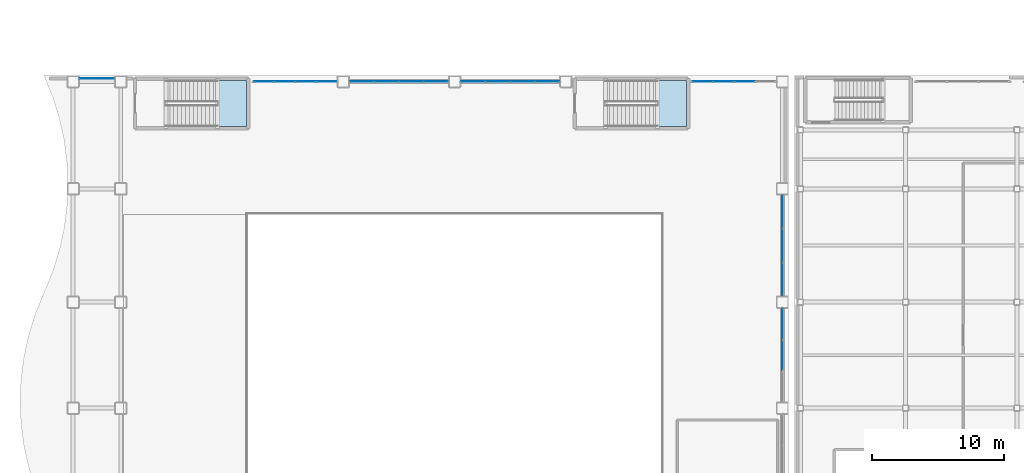
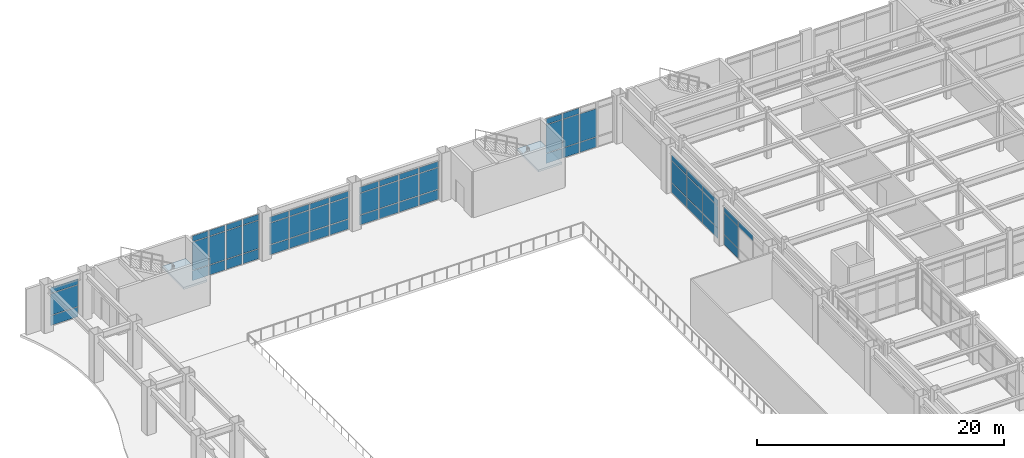
# One storey, part 131 of 172: 60 plates, 2 slabs, 9 elements without a shape of their own.
"""IFC4 building model written with IfcOpenShell, lengths in metres."""

from ifc_helpers import new_model, si_unit, direction, frame, origin, origin_2d, place, context, subcontext, project, spatial, polyline, rectangle, outline, extrude, material, layer, layer_set, type_object, element, aggregate, save


model = new_model("IFC4")

# Units and contexts
model_context = context("Model", 3, precision=1e-05, world=origin(), true_north=direction((0.0, 1.0)))
body_context = subcontext(model_context, "Body", "Model", "MODEL_VIEW")
ifc_project = project(units=[si_unit("LENGTHUNIT", "METRE"), si_unit("AREAUNIT", "SQUARE_METRE"), si_unit("VOLUMEUNIT", "CUBIC_METRE"), si_unit("PLANEANGLEUNIT", "RADIAN"), si_unit("MASSUNIT", "GRAM", prefix="KILO")], contexts=[model_context])

# Site, building, storey
site_placement = place(None, origin())
site = spatial("IfcSite", under=ifc_project, at=site_placement, CompositionType="ELEMENT")
building_placement = place(site_placement, origin())
building = spatial("IfcBuilding", under=site, at=building_placement, Name="Kazehara Bluff Congress Hotel", CompositionType="ELEMENT")
storey_placement = place(building_placement, frame((0.0, 0.0, 5.39990234375)))
storey = spatial("IfcBuildingStorey", under=building, at=storey_placement, Name="L01", CompositionType="ELEMENT", Elevation=5.39990234375)

# Curtain wall, plates
ifc_material_1 = material(Name="Anodised aluminium", Category="aluminium")
ifc_layer_1 = layer(ifc_material_1, 0.159912109375)
ifc_layer_set_1 = layer_set([ifc_layer_1], Name="Anodised aluminium")
curtain_wall_type_1 = type_object("IfcCurtainWallType", Name="TP-CW-08", PredefinedType="NOTDEFINED", material=ifc_layer_set_1)
curtain_wall_1_placement = place(storey_placement, origin())
curtain_wall_1 = element("IfcCurtainWall", 1, at=curtain_wall_1_placement, inside=storey, type_object=curtain_wall_type_1, Name="L01 curtain wall CW-08 CW-V1-L01-Y11355-2565", PredefinedType="NOTDEFINED")
ifc_material_2 = material(Name="Insulated low-E double glazing", Category="glass")
ifc_layer_2 = layer(ifc_material_2, 0.028076171875)
ifc_layer_set_2 = layer_set([ifc_layer_2], Name="Insulated low-E double glazing")
plate_type_1 = type_object("IfcPlateType", Name="TP-CWP-01", PredefinedType="CURTAIN_PANEL", material=ifc_layer_set_2)
plate_1_placement = place(storey_placement, frame((26.603759765625, 113.550048828125, 0.06494140625), z_axis=(0.0, 0.0, 1.0), x_axis=(1.0, 0.0, 0.0)))
plate_1 = element("IfcPlate", 2, at=plate_1_placement, type_object=plate_type_1, Name="CW-08 panel 1.1", PredefinedType="CURTAIN_PANEL", context=body_context, shape_type="SweptSolid", body=[
    extrude(rectangle(XDim=1.777587890625, YDim=0.028076171875, at=origin_2d()), origin(), (0.0, 0.0, 1.0), 0.952392578125),
])
plate_2_placement = place(storey_placement, frame((26.603759765625, 113.550048828125, 1.08251953125), z_axis=(0.0, 0.0, 1.0), x_axis=(1.0, 0.0, 0.0)))
plate_2 = element("IfcPlate", 3, at=plate_2_placement, type_object=plate_type_1, Name="CW-08 panel 1.2", PredefinedType="CURTAIN_PANEL", context=body_context, shape_type="SweptSolid", body=[
    extrude(rectangle(XDim=1.777587890625, YDim=0.028076171875, at=origin_2d()), origin(), (0.0, 0.0, 1.0), 2.110107421875),
])
plate_3_placement = place(storey_placement, frame((26.603759765625, 113.550048828125, 3.2578125), z_axis=(0.0, 0.0, 1.0), x_axis=(1.0, 0.0, 0.0)))
plate_3 = element("IfcPlate", 4, at=plate_3_placement, type_object=plate_type_1, Name="CW-08 panel 1.3", PredefinedType="CURTAIN_PANEL", context=body_context, shape_type="SweptSolid", body=[
    extrude(rectangle(XDim=1.777587890625, YDim=0.028076171875, at=origin_2d()), origin(), (0.0, 0.0, 1.0), 0.552490234375),
])
plate_4_placement = place(storey_placement, frame((28.46240234375, 113.550048828125, 0.06494140625), z_axis=(0.0, 0.0, 1.0), x_axis=(1.0, 0.0, 0.0)))
plate_4 = element("IfcPlate", 5, at=plate_4_placement, type_object=plate_type_1, Name="CW-08 panel 2.1", PredefinedType="CURTAIN_PANEL", context=body_context, shape_type="SweptSolid", body=[
    extrude(rectangle(XDim=1.81005859375, YDim=0.028076171875, at=origin_2d()), origin(), (0.0, 0.0, 1.0), 0.952392578125),
])
plate_5_placement = place(storey_placement, frame((28.46240234375, 113.550048828125, 1.08251953125), z_axis=(0.0, 0.0, 1.0), x_axis=(1.0, 0.0, 0.0)))
plate_5 = element("IfcPlate", 6, at=plate_5_placement, type_object=plate_type_1, Name="CW-08 panel 2.2", PredefinedType="CURTAIN_PANEL", context=body_context, shape_type="SweptSolid", body=[
    extrude(rectangle(XDim=1.81005859375, YDim=0.028076171875, at=origin_2d()), origin(), (0.0, 0.0, 1.0), 2.110107421875),
])
plate_6_placement = place(storey_placement, frame((28.46240234375, 113.550048828125, 3.2578125), z_axis=(0.0, 0.0, 1.0), x_axis=(1.0, 0.0, 0.0)))
plate_6 = element("IfcPlate", 7, at=plate_6_placement, type_object=plate_type_1, Name="CW-08 panel 2.3", PredefinedType="CURTAIN_PANEL", context=body_context, shape_type="SweptSolid", body=[
    extrude(rectangle(XDim=1.81005859375, YDim=0.028076171875, at=origin_2d()), origin(), (0.0, 0.0, 1.0), 0.552490234375),
])
plate_7_placement = place(storey_placement, frame((30.33740234375, 113.550048828125, 0.06494140625), z_axis=(0.0, 0.0, 1.0), x_axis=(1.0, 0.0, 0.0)))
plate_7 = element("IfcPlate", 8, at=plate_7_placement, type_object=plate_type_1, Name="CW-08 panel 3.1", PredefinedType="CURTAIN_PANEL", context=body_context, shape_type="SweptSolid", body=[
    extrude(rectangle(XDim=1.81005859375, YDim=0.028076171875, at=origin_2d()), origin(), (0.0, 0.0, 1.0), 0.952392578125),
])
plate_8_placement = place(storey_placement, frame((30.33740234375, 113.550048828125, 1.08251953125), z_axis=(0.0, 0.0, 1.0), x_axis=(1.0, 0.0, 0.0)))
plate_8 = element("IfcPlate", 9, at=plate_8_placement, type_object=plate_type_1, Name="CW-08 panel 3.2", PredefinedType="CURTAIN_PANEL", context=body_context, shape_type="SweptSolid", body=[
    extrude(rectangle(XDim=1.81005859375, YDim=0.028076171875, at=origin_2d()), origin(), (0.0, 0.0, 1.0), 2.110107421875),
])
plate_9_placement = place(storey_placement, frame((30.33740234375, 113.550048828125, 3.2578125), z_axis=(0.0, 0.0, 1.0), x_axis=(1.0, 0.0, 0.0)))
plate_9 = element("IfcPlate", 10, at=plate_9_placement, type_object=plate_type_1, Name="CW-08 panel 3.3", PredefinedType="CURTAIN_PANEL", context=body_context, shape_type="SweptSolid", body=[
    extrude(rectangle(XDim=1.81005859375, YDim=0.028076171875, at=origin_2d()), origin(), (0.0, 0.0, 1.0), 0.552490234375),
])
plate_10_placement = place(storey_placement, frame((32.1962890625, 113.550048828125, 0.06494140625), z_axis=(0.0, 0.0, 1.0), x_axis=(1.0, 0.0, 0.0)))
plate_10 = element("IfcPlate", 11, at=plate_10_placement, type_object=plate_type_1, Name="CW-08 panel 4.1", PredefinedType="CURTAIN_PANEL", context=body_context, shape_type="SweptSolid", body=[
    extrude(rectangle(XDim=1.777587890625, YDim=0.028076171875, at=origin_2d()), origin(), (0.0, 0.0, 1.0), 0.952392578125),
])
plate_11_placement = place(storey_placement, frame((32.1962890625, 113.550048828125, 1.08251953125), z_axis=(0.0, 0.0, 1.0), x_axis=(1.0, 0.0, 0.0)))
plate_11 = element("IfcPlate", 12, at=plate_11_placement, type_object=plate_type_1, Name="CW-08 panel 4.2", PredefinedType="CURTAIN_PANEL", context=body_context, shape_type="SweptSolid", body=[
    extrude(rectangle(XDim=1.777587890625, YDim=0.028076171875, at=origin_2d()), origin(), (0.0, 0.0, 1.0), 2.110107421875),
])
plate_12_placement = place(storey_placement, frame((32.1962890625, 113.550048828125, 3.2578125), z_axis=(0.0, 0.0, 1.0), x_axis=(1.0, 0.0, 0.0)))
plate_12 = element("IfcPlate", 13, at=plate_12_placement, type_object=plate_type_1, Name="CW-08 panel 4.3", PredefinedType="CURTAIN_PANEL", context=body_context, shape_type="SweptSolid", body=[
    extrude(rectangle(XDim=1.777587890625, YDim=0.028076171875, at=origin_2d()), origin(), (0.0, 0.0, 1.0), 0.552490234375),
])
aggregate(curtain_wall_1, [plate_1, plate_2, plate_3, plate_4, plate_5, plate_6, plate_7, plate_8, plate_9, plate_10, plate_11, plate_12])

curtain_wall_2_placement = place(storey_placement, origin())
curtain_wall_2 = element("IfcCurtainWall", 14, at=curtain_wall_2_placement, inside=storey, type_object=curtain_wall_type_1, Name="L01 curtain wall CW-08 CW-V1-L01-Y11355-3405", PredefinedType="NOTDEFINED")
plate_13_placement = place(storey_placement, frame((35.003662109375, 113.550048828125, 0.06494140625), z_axis=(0.0, 0.0, 1.0), x_axis=(1.0, 0.0, 0.0)))
plate_13 = element("IfcPlate", 15, at=plate_13_placement, type_object=plate_type_1, Name="CW-08 panel 1.1", PredefinedType="CURTAIN_PANEL", context=body_context, shape_type="SweptSolid", body=[
    extrude(rectangle(XDim=1.777587890625, YDim=0.028076171875, at=origin_2d()), origin(), (0.0, 0.0, 1.0), 0.952392578125),
])
plate_14_placement = place(storey_placement, frame((35.003662109375, 113.550048828125, 1.08251953125), z_axis=(0.0, 0.0, 1.0), x_axis=(1.0, 0.0, 0.0)))
plate_14 = element("IfcPlate", 16, at=plate_14_placement, type_object=plate_type_1, Name="CW-08 panel 1.2", PredefinedType="CURTAIN_PANEL", context=body_context, shape_type="SweptSolid", body=[
    extrude(rectangle(XDim=1.777587890625, YDim=0.028076171875, at=origin_2d()), origin(), (0.0, 0.0, 1.0), 2.110107421875),
])
plate_15_placement = place(storey_placement, frame((35.003662109375, 113.550048828125, 3.2578125), z_axis=(0.0, 0.0, 1.0), x_axis=(1.0, 0.0, 0.0)))
plate_15 = element("IfcPlate", 17, at=plate_15_placement, type_object=plate_type_1, Name="CW-08 panel 1.3", PredefinedType="CURTAIN_PANEL", context=body_context, shape_type="SweptSolid", body=[
    extrude(rectangle(XDim=1.777587890625, YDim=0.028076171875, at=origin_2d()), origin(), (0.0, 0.0, 1.0), 0.552490234375),
])
plate_16_placement = place(storey_placement, frame((36.862548828125, 113.550048828125, 0.06494140625), z_axis=(0.0, 0.0, 1.0), x_axis=(1.0, 0.0, 0.0)))
plate_16 = element("IfcPlate", 18, at=plate_16_placement, type_object=plate_type_1, Name="CW-08 panel 2.1", PredefinedType="CURTAIN_PANEL", context=body_context, shape_type="SweptSolid", body=[
    extrude(rectangle(XDim=1.81005859375, YDim=0.028076171875, at=origin_2d()), origin(), (0.0, 0.0, 1.0), 0.952392578125),
])
plate_17_placement = place(storey_placement, frame((36.862548828125, 113.550048828125, 1.08251953125), z_axis=(0.0, 0.0, 1.0), x_axis=(1.0, 0.0, 0.0)))
plate_17 = element("IfcPlate", 19, at=plate_17_placement, type_object=plate_type_1, Name="CW-08 panel 2.2", PredefinedType="CURTAIN_PANEL", context=body_context, shape_type="SweptSolid", body=[
    extrude(rectangle(XDim=1.81005859375, YDim=0.028076171875, at=origin_2d()), origin(), (0.0, 0.0, 1.0), 2.110107421875),
])
plate_18_placement = place(storey_placement, frame((36.862548828125, 113.550048828125, 3.2578125), z_axis=(0.0, 0.0, 1.0), x_axis=(1.0, 0.0, 0.0)))
plate_18 = element("IfcPlate", 20, at=plate_18_placement, type_object=plate_type_1, Name="CW-08 panel 2.3", PredefinedType="CURTAIN_PANEL", context=body_context, shape_type="SweptSolid", body=[
    extrude(rectangle(XDim=1.81005859375, YDim=0.028076171875, at=origin_2d()), origin(), (0.0, 0.0, 1.0), 0.552490234375),
])
plate_19_placement = place(storey_placement, frame((38.737548828125, 113.550048828125, 0.06494140625), z_axis=(0.0, 0.0, 1.0), x_axis=(1.0, 0.0, 0.0)))
plate_19 = element("IfcPlate", 21, at=plate_19_placement, type_object=plate_type_1, Name="CW-08 panel 3.1", PredefinedType="CURTAIN_PANEL", context=body_context, shape_type="SweptSolid", body=[
    extrude(rectangle(XDim=1.81005859375, YDim=0.028076171875, at=origin_2d()), origin(), (0.0, 0.0, 1.0), 0.952392578125),
])
plate_20_placement = place(storey_placement, frame((38.737548828125, 113.550048828125, 1.08251953125), z_axis=(0.0, 0.0, 1.0), x_axis=(1.0, 0.0, 0.0)))
plate_20 = element("IfcPlate", 22, at=plate_20_placement, type_object=plate_type_1, Name="CW-08 panel 3.2", PredefinedType="CURTAIN_PANEL", context=body_context, shape_type="SweptSolid", body=[
    extrude(rectangle(XDim=1.81005859375, YDim=0.028076171875, at=origin_2d()), origin(), (0.0, 0.0, 1.0), 2.110107421875),
])
plate_21_placement = place(storey_placement, frame((38.737548828125, 113.550048828125, 3.2578125), z_axis=(0.0, 0.0, 1.0), x_axis=(1.0, 0.0, 0.0)))
plate_21 = element("IfcPlate", 23, at=plate_21_placement, type_object=plate_type_1, Name="CW-08 panel 3.3", PredefinedType="CURTAIN_PANEL", context=body_context, shape_type="SweptSolid", body=[
    extrude(rectangle(XDim=1.81005859375, YDim=0.028076171875, at=origin_2d()), origin(), (0.0, 0.0, 1.0), 0.552490234375),
])
plate_22_placement = place(storey_placement, frame((40.59619140625, 113.550048828125, 0.06494140625), z_axis=(0.0, 0.0, 1.0), x_axis=(1.0, 0.0, 0.0)))
plate_22 = element("IfcPlate", 24, at=plate_22_placement, type_object=plate_type_1, Name="CW-08 panel 4.1", PredefinedType="CURTAIN_PANEL", context=body_context, shape_type="SweptSolid", body=[
    extrude(rectangle(XDim=1.777587890625, YDim=0.028076171875, at=origin_2d()), origin(), (0.0, 0.0, 1.0), 0.952392578125),
])
plate_23_placement = place(storey_placement, frame((40.59619140625, 113.550048828125, 1.08251953125), z_axis=(0.0, 0.0, 1.0), x_axis=(1.0, 0.0, 0.0)))
plate_23 = element("IfcPlate", 25, at=plate_23_placement, type_object=plate_type_1, Name="CW-08 panel 4.2", PredefinedType="CURTAIN_PANEL", context=body_context, shape_type="SweptSolid", body=[
    extrude(rectangle(XDim=1.777587890625, YDim=0.028076171875, at=origin_2d()), origin(), (0.0, 0.0, 1.0), 2.110107421875),
])
plate_24_placement = place(storey_placement, frame((40.59619140625, 113.550048828125, 3.2578125), z_axis=(0.0, 0.0, 1.0), x_axis=(1.0, 0.0, 0.0)))
plate_24 = element("IfcPlate", 26, at=plate_24_placement, type_object=plate_type_1, Name="CW-08 panel 4.3", PredefinedType="CURTAIN_PANEL", context=body_context, shape_type="SweptSolid", body=[
    extrude(rectangle(XDim=1.777587890625, YDim=0.028076171875, at=origin_2d()), origin(), (0.0, 0.0, 1.0), 0.552490234375),
])
aggregate(curtain_wall_2, [plate_13, plate_14, plate_15, plate_16, plate_17, plate_18, plate_19, plate_20, plate_21, plate_22, plate_23, plate_24])

ifc_material_3 = material(Name="Anodised aluminium", Category="aluminium")
ifc_layer_3 = layer(ifc_material_3, 0.159912109375)
ifc_layer_set_3 = layer_set([ifc_layer_3], Name="Anodised aluminium")
curtain_wall_type_2 = type_object("IfcCurtainWallType", Name="TP-CW-20", PredefinedType="NOTDEFINED", material=ifc_layer_set_3)
curtain_wall_3_placement = place(storey_placement, origin())
curtain_wall_3 = element("IfcCurtainWall", 27, at=curtain_wall_3_placement, inside=storey, type_object=curtain_wall_type_2, Name="L01 curtain wall CW-20 CW-V1-L01-X5835-8935", PredefinedType="NOTDEFINED")
plate_25_placement = place(storey_placement, frame((58.35009765625, 92.89990234375, 3.2578125), z_axis=(0.0, 0.0, 1.0), x_axis=(0.0, 1.0, 0.0)))
plate_25 = element("IfcPlate", 28, at=plate_25_placement, type_object=plate_type_1, Name="CW-20 panel 2.3", PredefinedType="CURTAIN_PANEL", context=body_context, shape_type="SweptSolid", body=[
    extrude(rectangle(XDim=2.3017578125, YDim=0.028076171875, at=origin_2d()), origin(), (0.0, 0.0, 1.0), 0.552490234375),
])
plate_26_placement = place(storey_placement, frame((58.35009765625, 95.25048828125, 0.06494140625), z_axis=(0.0, 0.0, 1.0), x_axis=(0.0, 1.0, 0.0)))
plate_26 = element("IfcPlate", 29, at=plate_26_placement, type_object=plate_type_1, Name="CW-20 panel 3.1", PredefinedType="CURTAIN_PANEL", context=body_context, shape_type="SweptSolid", body=[
    extrude(rectangle(XDim=2.269287109375, YDim=0.028076171875, at=origin_2d()), origin(), (0.0, 0.0, 1.0), 0.952392578125),
])
plate_27_placement = place(storey_placement, frame((58.35009765625, 95.25048828125, 1.08251953125), z_axis=(0.0, 0.0, 1.0), x_axis=(0.0, 1.0, 0.0)))
plate_27 = element("IfcPlate", 30, at=plate_27_placement, type_object=plate_type_1, Name="CW-20 panel 3.2", PredefinedType="CURTAIN_PANEL", context=body_context, shape_type="SweptSolid", body=[
    extrude(rectangle(XDim=2.269287109375, YDim=0.028076171875, at=origin_2d()), origin(), (0.0, 0.0, 1.0), 2.110107421875),
])
plate_28_placement = place(storey_placement, frame((58.35009765625, 95.25048828125, 3.2578125), z_axis=(0.0, 0.0, 1.0), x_axis=(0.0, 1.0, 0.0)))
plate_28 = element("IfcPlate", 31, at=plate_28_placement, type_object=plate_type_1, Name="CW-20 panel 3.3", PredefinedType="CURTAIN_PANEL", context=body_context, shape_type="SweptSolid", body=[
    extrude(rectangle(XDim=2.269287109375, YDim=0.028076171875, at=origin_2d()), origin(), (0.0, 0.0, 1.0), 0.552490234375),
])
aggregate(curtain_wall_3, [plate_25, plate_26, plate_27, plate_28])

ifc_material_4 = material(Name="Anodised aluminium", Category="aluminium")
ifc_layer_4 = layer(ifc_material_4, 0.159912109375)
ifc_layer_set_4 = layer_set([ifc_layer_4], Name="Anodised aluminium")
curtain_wall_type_3 = type_object("IfcCurtainWallType", Name="TP-CW-22", PredefinedType="NOTDEFINED", material=ifc_layer_set_4)
curtain_wall_4_placement = place(storey_placement, origin())
curtain_wall_4 = element("IfcCurtainWall", 32, at=curtain_wall_4_placement, inside=storey, type_object=curtain_wall_type_3, Name="L01 curtain wall CW-22 CW-V1-L01-X5835-9735", PredefinedType="NOTDEFINED")
plate_29_placement = place(storey_placement, frame((58.35009765625, 98.641357421875, 0.06494140625), z_axis=(0.0, 0.0, 1.0), x_axis=(0.0, 1.0, 0.0)))
plate_29 = element("IfcPlate", 33, at=plate_29_placement, type_object=plate_type_1, Name="CW-22 panel 1.1", PredefinedType="CURTAIN_PANEL", context=body_context, shape_type="SweptSolid", body=[
    extrude(rectangle(XDim=2.452392578125, YDim=0.028076171875, at=origin_2d()), origin(), (0.0, 0.0, 1.0), 0.952392578125),
])
plate_30_placement = place(storey_placement, frame((58.35009765625, 98.641357421875, 1.08251953125), z_axis=(0.0, 0.0, 1.0), x_axis=(0.0, 1.0, 0.0)))
plate_30 = element("IfcPlate", 34, at=plate_30_placement, type_object=plate_type_1, Name="CW-22 panel 1.2", PredefinedType="CURTAIN_PANEL", context=body_context, shape_type="SweptSolid", body=[
    extrude(rectangle(XDim=2.452392578125, YDim=0.028076171875, at=origin_2d()), origin(), (0.0, 0.0, 1.0), 2.110107421875),
])
plate_31_placement = place(storey_placement, frame((58.35009765625, 98.641357421875, 3.2578125), z_axis=(0.0, 0.0, 1.0), x_axis=(0.0, 1.0, 0.0)))
plate_31 = element("IfcPlate", 35, at=plate_31_placement, type_object=plate_type_1, Name="CW-22 panel 1.3", PredefinedType="CURTAIN_PANEL", context=body_context, shape_type="SweptSolid", body=[
    extrude(rectangle(XDim=2.452392578125, YDim=0.028076171875, at=origin_2d()), origin(), (0.0, 0.0, 1.0), 0.552490234375),
])
plate_32_placement = place(storey_placement, frame((58.35009765625, 101.175048828125, 0.06494140625), z_axis=(0.0, 0.0, 1.0), x_axis=(0.0, 1.0, 0.0)))
plate_32 = element("IfcPlate", 36, at=plate_32_placement, type_object=plate_type_1, Name="CW-22 panel 2.1", PredefinedType="CURTAIN_PANEL", context=body_context, shape_type="SweptSolid", body=[
    extrude(rectangle(XDim=2.485107421875, YDim=0.028076171875, at=origin_2d()), origin(), (0.0, 0.0, 1.0), 0.952392578125),
])
plate_33_placement = place(storey_placement, frame((58.35009765625, 101.175048828125, 1.08251953125), z_axis=(0.0, 0.0, 1.0), x_axis=(0.0, 1.0, 0.0)))
plate_33 = element("IfcPlate", 37, at=plate_33_placement, type_object=plate_type_1, Name="CW-22 panel 2.2", PredefinedType="CURTAIN_PANEL", context=body_context, shape_type="SweptSolid", body=[
    extrude(rectangle(XDim=2.485107421875, YDim=0.028076171875, at=origin_2d()), origin(), (0.0, 0.0, 1.0), 2.110107421875),
])
plate_34_placement = place(storey_placement, frame((58.35009765625, 101.175048828125, 3.2578125), z_axis=(0.0, 0.0, 1.0), x_axis=(0.0, 1.0, 0.0)))
plate_34 = element("IfcPlate", 38, at=plate_34_placement, type_object=plate_type_1, Name="CW-22 panel 2.3", PredefinedType="CURTAIN_PANEL", context=body_context, shape_type="SweptSolid", body=[
    extrude(rectangle(XDim=2.485107421875, YDim=0.028076171875, at=origin_2d()), origin(), (0.0, 0.0, 1.0), 0.552490234375),
])
plate_35_placement = place(storey_placement, frame((58.35009765625, 103.708740234375, 0.06494140625), z_axis=(0.0, 0.0, 1.0), x_axis=(0.0, 1.0, 0.0)))
plate_35 = element("IfcPlate", 39, at=plate_35_placement, type_object=plate_type_1, Name="CW-22 panel 3.1", PredefinedType="CURTAIN_PANEL", context=body_context, shape_type="SweptSolid", body=[
    extrude(rectangle(XDim=2.452392578125, YDim=0.028076171875, at=origin_2d()), origin(), (0.0, 0.0, 1.0), 0.952392578125),
])
plate_36_placement = place(storey_placement, frame((58.35009765625, 103.708740234375, 1.08251953125), z_axis=(0.0, 0.0, 1.0), x_axis=(0.0, 1.0, 0.0)))
plate_36 = element("IfcPlate", 40, at=plate_36_placement, type_object=plate_type_1, Name="CW-22 panel 3.2", PredefinedType="CURTAIN_PANEL", context=body_context, shape_type="SweptSolid", body=[
    extrude(rectangle(XDim=2.452392578125, YDim=0.028076171875, at=origin_2d()), origin(), (0.0, 0.0, 1.0), 2.110107421875),
])
plate_37_placement = place(storey_placement, frame((58.35009765625, 103.708740234375, 3.2578125), z_axis=(0.0, 0.0, 1.0), x_axis=(0.0, 1.0, 0.0)))
plate_37 = element("IfcPlate", 41, at=plate_37_placement, type_object=plate_type_1, Name="CW-22 panel 3.3", PredefinedType="CURTAIN_PANEL", context=body_context, shape_type="SweptSolid", body=[
    extrude(rectangle(XDim=2.452392578125, YDim=0.028076171875, at=origin_2d()), origin(), (0.0, 0.0, 1.0), 0.552490234375),
])
aggregate(curtain_wall_4, [plate_29, plate_30, plate_31, plate_32, plate_33, plate_34, plate_35, plate_36, plate_37])

ifc_material_5 = material(Name="Anodised aluminium", Category="aluminium")
ifc_layer_5 = layer(ifc_material_5, 0.159912109375)
ifc_layer_set_5 = layer_set([ifc_layer_5], Name="Anodised aluminium")
curtain_wall_type_4 = type_object("IfcCurtainWallType", Name="TP-CW-07", PredefinedType="NOTDEFINED", material=ifc_layer_set_5)
curtain_wall_5_placement = place(storey_placement, origin())
curtain_wall_5 = element("IfcCurtainWall", 42, at=curtain_wall_5_placement, inside=storey, type_object=curtain_wall_type_4, Name="L01 curtain wall CW-07 CW-V1-L01-Y11355-1840", PredefinedType="NOTDEFINED")
ifc_material_6 = material(Name="Insulated low-E double glazing", Category="glass")
ifc_layer_6 = layer(ifc_material_6, 0.031982421875)
ifc_layer_set_6 = layer_set([ifc_layer_6], Name="Insulated low-E double glazing")
plate_type_2 = type_object("IfcPlateType", Name="TP-CWP-02", PredefinedType="CURTAIN_PANEL", material=ifc_layer_set_6)
plate_38_placement = place(storey_placement, frame((19.211181640625, 113.550048828125, 0.06005859375), z_axis=(0.0, 0.0, 1.0), x_axis=(1.0, 0.0, 0.0)))
plate_38 = element("IfcPlate", 43, at=plate_38_placement, type_object=plate_type_2, Name="CW-07 panel 1.1", PredefinedType="CURTAIN_PANEL", context=body_context, shape_type="SweptSolid", body=[
    extrude(rectangle(XDim=1.482421875, YDim=0.031982421875, at=origin_2d()), origin(), (0.0, 0.0, 1.0), 0.9599609375),
])
plate_39_placement = place(storey_placement, frame((19.211181640625, 113.550048828125, 1.080078125), z_axis=(0.0, 0.0, 1.0), x_axis=(1.0, 0.0, 0.0)))
plate_39 = element("IfcPlate", 44, at=plate_39_placement, type_object=plate_type_2, Name="CW-07 panel 1.2", PredefinedType="CURTAIN_PANEL", context=body_context, shape_type="SweptSolid", body=[
    extrude(rectangle(XDim=1.482421875, YDim=0.031982421875, at=origin_2d()), origin(), (0.0, 0.0, 1.0), 2.77490234375),
])
plate_40_placement = place(storey_placement, frame((19.211181640625, 113.550048828125, 3.9150390625), z_axis=(0.0, 0.0, 1.0), x_axis=(1.0, 0.0, 0.0)))
plate_40 = element("IfcPlate", 45, at=plate_40_placement, type_object=plate_type_2, Name="CW-07 panel 1.3", PredefinedType="CURTAIN_PANEL", context=body_context, shape_type="SweptSolid", body=[
    extrude(rectangle(XDim=1.482421875, YDim=0.031982421875, at=origin_2d()), origin(), (0.0, 0.0, 1.0), 0.56005859375),
])
plate_41_placement = place(storey_placement, frame((20.78125, 113.550048828125, 0.06005859375), z_axis=(0.0, 0.0, 1.0), x_axis=(1.0, 0.0, 0.0)))
plate_41 = element("IfcPlate", 46, at=plate_41_placement, type_object=plate_type_2, Name="CW-07 panel 2.1", PredefinedType="CURTAIN_PANEL", context=body_context, shape_type="SweptSolid", body=[
    extrude(rectangle(XDim=1.517578125, YDim=0.031982421875, at=origin_2d()), origin(), (0.0, 0.0, 1.0), 0.9599609375),
])
plate_42_placement = place(storey_placement, frame((20.78125, 113.550048828125, 1.080078125), z_axis=(0.0, 0.0, 1.0), x_axis=(1.0, 0.0, 0.0)))
plate_42 = element("IfcPlate", 47, at=plate_42_placement, type_object=plate_type_2, Name="CW-07 panel 2.2", PredefinedType="CURTAIN_PANEL", context=body_context, shape_type="SweptSolid", body=[
    extrude(rectangle(XDim=1.517578125, YDim=0.031982421875, at=origin_2d()), origin(), (0.0, 0.0, 1.0), 2.77490234375),
])
plate_43_placement = place(storey_placement, frame((20.78125, 113.550048828125, 3.9150390625), z_axis=(0.0, 0.0, 1.0), x_axis=(1.0, 0.0, 0.0)))
plate_43 = element("IfcPlate", 48, at=plate_43_placement, type_object=plate_type_2, Name="CW-07 panel 2.3", PredefinedType="CURTAIN_PANEL", context=body_context, shape_type="SweptSolid", body=[
    extrude(rectangle(XDim=1.517578125, YDim=0.031982421875, at=origin_2d()), origin(), (0.0, 0.0, 1.0), 0.56005859375),
])
plate_44_placement = place(storey_placement, frame((22.36865234375, 113.550048828125, 0.06005859375), z_axis=(0.0, 0.0, 1.0), x_axis=(1.0, 0.0, 0.0)))
plate_44 = element("IfcPlate", 49, at=plate_44_placement, type_object=plate_type_2, Name="CW-07 panel 3.1", PredefinedType="CURTAIN_PANEL", context=body_context, shape_type="SweptSolid", body=[
    extrude(rectangle(XDim=1.517578125, YDim=0.031982421875, at=origin_2d()), origin(), (0.0, 0.0, 1.0), 0.9599609375),
])
plate_45_placement = place(storey_placement, frame((22.36865234375, 113.550048828125, 1.080078125), z_axis=(0.0, 0.0, 1.0), x_axis=(1.0, 0.0, 0.0)))
plate_45 = element("IfcPlate", 50, at=plate_45_placement, type_object=plate_type_2, Name="CW-07 panel 3.2", PredefinedType="CURTAIN_PANEL", context=body_context, shape_type="SweptSolid", body=[
    extrude(rectangle(XDim=1.517578125, YDim=0.031982421875, at=origin_2d()), origin(), (0.0, 0.0, 1.0), 2.77490234375),
])
plate_46_placement = place(storey_placement, frame((22.36865234375, 113.550048828125, 3.9150390625), z_axis=(0.0, 0.0, 1.0), x_axis=(1.0, 0.0, 0.0)))
plate_46 = element("IfcPlate", 51, at=plate_46_placement, type_object=plate_type_2, Name="CW-07 panel 3.3", PredefinedType="CURTAIN_PANEL", context=body_context, shape_type="SweptSolid", body=[
    extrude(rectangle(XDim=1.517578125, YDim=0.031982421875, at=origin_2d()), origin(), (0.0, 0.0, 1.0), 0.56005859375),
])
plate_47_placement = place(storey_placement, frame((23.938720703125, 113.550048828125, 0.06005859375), z_axis=(0.0, 0.0, 1.0), x_axis=(1.0, 0.0, 0.0)))
plate_47 = element("IfcPlate", 52, at=plate_47_placement, type_object=plate_type_2, Name="CW-07 panel 4.1", PredefinedType="CURTAIN_PANEL", context=body_context, shape_type="SweptSolid", body=[
    extrude(rectangle(XDim=1.482421875, YDim=0.031982421875, at=origin_2d()), origin(), (0.0, 0.0, 1.0), 0.9599609375),
])
plate_48_placement = place(storey_placement, frame((23.938720703125, 113.550048828125, 1.080078125), z_axis=(0.0, 0.0, 1.0), x_axis=(1.0, 0.0, 0.0)))
plate_48 = element("IfcPlate", 53, at=plate_48_placement, type_object=plate_type_2, Name="CW-07 panel 4.2", PredefinedType="CURTAIN_PANEL", context=body_context, shape_type="SweptSolid", body=[
    extrude(rectangle(XDim=1.482421875, YDim=0.031982421875, at=origin_2d()), origin(), (0.0, 0.0, 1.0), 2.77490234375),
])
plate_49_placement = place(storey_placement, frame((23.938720703125, 113.550048828125, 3.9150390625), z_axis=(0.0, 0.0, 1.0), x_axis=(1.0, 0.0, 0.0)))
plate_49 = element("IfcPlate", 54, at=plate_49_placement, type_object=plate_type_2, Name="CW-07 panel 4.3", PredefinedType="CURTAIN_PANEL", context=body_context, shape_type="SweptSolid", body=[
    extrude(rectangle(XDim=1.482421875, YDim=0.031982421875, at=origin_2d()), origin(), (0.0, 0.0, 1.0), 0.56005859375),
])
aggregate(curtain_wall_5, [plate_38, plate_39, plate_40, plate_41, plate_42, plate_43, plate_44, plate_45, plate_46, plate_47, plate_48, plate_49])

ifc_material_7 = material(Name="Anodised aluminium", Category="aluminium")
ifc_layer_7 = layer(ifc_material_7, 0.159912109375)
ifc_layer_set_7 = layer_set([ifc_layer_7], Name="Anodised aluminium")
curtain_wall_type_5 = type_object("IfcCurtainWallType", Name="TP-CW-09", PredefinedType="NOTDEFINED", material=ifc_layer_set_7)
curtain_wall_6_placement = place(storey_placement, origin())
curtain_wall_6 = element("IfcCurtainWall", 55, at=curtain_wall_6_placement, inside=storey, type_object=curtain_wall_type_5, Name="L01 curtain wall CW-09 CW-V1-L01-Y11355-5150", PredefinedType="NOTDEFINED")
plate_50_placement = place(storey_placement, frame((52.3173828125, 113.550048828125, 0.06005859375), z_axis=(0.0, 0.0, 1.0), x_axis=(1.0, 0.0, 0.0)))
plate_50 = element("IfcPlate", 56, at=plate_50_placement, type_object=plate_type_2, Name="CW-09 panel 1.1", PredefinedType="CURTAIN_PANEL", context=body_context, shape_type="SweptSolid", body=[
    extrude(rectangle(XDim=1.4951171875, YDim=0.031982421875, at=origin_2d()), origin(), (0.0, 0.0, 1.0), 0.9599609375),
])
plate_51_placement = place(storey_placement, frame((52.3173828125, 113.550048828125, 1.080078125), z_axis=(0.0, 0.0, 1.0), x_axis=(1.0, 0.0, 0.0)))
plate_51 = element("IfcPlate", 57, at=plate_51_placement, type_object=plate_type_2, Name="CW-09 panel 1.2", PredefinedType="CURTAIN_PANEL", context=body_context, shape_type="SweptSolid", body=[
    extrude(rectangle(XDim=1.4951171875, YDim=0.031982421875, at=origin_2d()), origin(), (0.0, 0.0, 1.0), 2.77490234375),
])
plate_52_placement = place(storey_placement, frame((52.3173828125, 113.550048828125, 3.9150390625), z_axis=(0.0, 0.0, 1.0), x_axis=(1.0, 0.0, 0.0)))
plate_52 = element("IfcPlate", 58, at=plate_52_placement, type_object=plate_type_2, Name="CW-09 panel 1.3", PredefinedType="CURTAIN_PANEL", context=body_context, shape_type="SweptSolid", body=[
    extrude(rectangle(XDim=1.4951171875, YDim=0.031982421875, at=origin_2d()), origin(), (0.0, 0.0, 1.0), 0.56005859375),
])
plate_53_placement = place(storey_placement, frame((53.89990234375, 113.550048828125, 0.06005859375), z_axis=(0.0, 0.0, 1.0), x_axis=(1.0, 0.0, 0.0)))
plate_53 = element("IfcPlate", 59, at=plate_53_placement, type_object=plate_type_2, Name="CW-09 panel 2.1", PredefinedType="CURTAIN_PANEL", context=body_context, shape_type="SweptSolid", body=[
    extrude(rectangle(XDim=1.530029296875, YDim=0.031982421875, at=origin_2d()), origin(), (0.0, 0.0, 1.0), 0.9599609375),
])
plate_54_placement = place(storey_placement, frame((53.89990234375, 113.550048828125, 1.080078125), z_axis=(0.0, 0.0, 1.0), x_axis=(1.0, 0.0, 0.0)))
plate_54 = element("IfcPlate", 60, at=plate_54_placement, type_object=plate_type_2, Name="CW-09 panel 2.2", PredefinedType="CURTAIN_PANEL", context=body_context, shape_type="SweptSolid", body=[
    extrude(rectangle(XDim=1.530029296875, YDim=0.031982421875, at=origin_2d()), origin(), (0.0, 0.0, 1.0), 2.77490234375),
])
plate_55_placement = place(storey_placement, frame((53.89990234375, 113.550048828125, 3.9150390625), z_axis=(0.0, 0.0, 1.0), x_axis=(1.0, 0.0, 0.0)))
plate_55 = element("IfcPlate", 61, at=plate_55_placement, type_object=plate_type_2, Name="CW-09 panel 2.3", PredefinedType="CURTAIN_PANEL", context=body_context, shape_type="SweptSolid", body=[
    extrude(rectangle(XDim=1.530029296875, YDim=0.031982421875, at=origin_2d()), origin(), (0.0, 0.0, 1.0), 0.56005859375),
])
plate_56_placement = place(storey_placement, frame((55.5, 113.550048828125, 0.06005859375), z_axis=(0.0, 0.0, 1.0), x_axis=(1.0, 0.0, 0.0)))
plate_56 = element("IfcPlate", 62, at=plate_56_placement, type_object=plate_type_2, Name="CW-09 panel 3.1", PredefinedType="CURTAIN_PANEL", context=body_context, shape_type="SweptSolid", body=[
    extrude(rectangle(XDim=1.530029296875, YDim=0.031982421875, at=origin_2d()), origin(), (0.0, 0.0, 1.0), 0.9599609375),
])
plate_57_placement = place(storey_placement, frame((55.5, 113.550048828125, 1.080078125), z_axis=(0.0, 0.0, 1.0), x_axis=(1.0, 0.0, 0.0)))
plate_57 = element("IfcPlate", 63, at=plate_57_placement, type_object=plate_type_2, Name="CW-09 panel 3.2", PredefinedType="CURTAIN_PANEL", context=body_context, shape_type="SweptSolid", body=[
    extrude(rectangle(XDim=1.530029296875, YDim=0.031982421875, at=origin_2d()), origin(), (0.0, 0.0, 1.0), 2.77490234375),
])
aggregate(curtain_wall_6, [plate_50, plate_51, plate_52, plate_53, plate_54, plate_55, plate_56, plate_57])

ifc_material_8 = material(Name="Anodised aluminium", Category="aluminium")
ifc_layer_8 = layer(ifc_material_8, 0.159912109375)
ifc_layer_set_8 = layer_set([ifc_layer_8], Name="Anodised aluminium")
curtain_wall_type_6 = type_object("IfcCurtainWallType", Name="TP-CW-107", PredefinedType="NOTDEFINED", material=ifc_layer_set_8)
curtain_wall_7_placement = place(storey_placement, origin())
curtain_wall_7 = element("IfcCurtainWall", 64, at=curtain_wall_7_placement, inside=storey, type_object=curtain_wall_type_6, Name="L01 curtain wall CW-107 CW-ENC-V1-L01-660-11378", PredefinedType="NOTDEFINED")
ifc_material_9 = material(Name="Insulated low-E double glazing", Category="glass")
ifc_layer_9 = layer(ifc_material_9, 0.02001953125)
ifc_layer_set_9 = layer_set([ifc_layer_9], Name="Insulated low-E double glazing")
plate_type_3 = type_object("IfcPlateType", Name="TP-CWP-03", PredefinedType="CURTAIN_PANEL", material=ifc_layer_set_9)
plate_58_placement = place(storey_placement, frame((6.60009765625, 113.780029296875, 0.06005859375), z_axis=(0.0, 0.0, 1.0), x_axis=(1.0, 0.0, 0.0)))
plate_58 = element("IfcPlate", 65, at=plate_58_placement, type_object=plate_type_3, Name="CW-107 panel 1.1", PredefinedType="CURTAIN_PANEL", context=body_context, shape_type="SweptSolid", body=[
    extrude(rectangle(XDim=2.580078125, YDim=0.02001953125, at=origin_2d()), origin(), (0.0, 0.0, 1.0), 0.9599609375),
])
plate_59_placement = place(storey_placement, frame((6.60009765625, 113.780029296875, 1.080078125), z_axis=(0.0, 0.0, 1.0), x_axis=(1.0, 0.0, 0.0)))
plate_59 = element("IfcPlate", 66, at=plate_59_placement, type_object=plate_type_3, Name="CW-107 panel 1.2", PredefinedType="CURTAIN_PANEL", context=body_context, shape_type="SweptSolid", body=[
    extrude(rectangle(XDim=2.580078125, YDim=0.02001953125, at=origin_2d()), origin(), (0.0, 0.0, 1.0), 2.114990234375),
])
plate_60_placement = place(storey_placement, frame((6.60009765625, 113.780029296875, 3.255126953125), z_axis=(0.0, 0.0, 1.0), x_axis=(1.0, 0.0, 0.0)))
plate_60 = element("IfcPlate", 67, at=plate_60_placement, type_object=plate_type_3, Name="CW-107 panel 1.3", PredefinedType="CURTAIN_PANEL", context=body_context, shape_type="SweptSolid", body=[
    extrude(rectangle(XDim=2.580078125, YDim=0.02001953125, at=origin_2d()), origin(), (0.0, 0.0, 1.0), 0.56005859375),
])
aggregate(curtain_wall_7, [plate_58, plate_59, plate_60])

# Stair, slab
ifc_material_10 = material(Name="Concrete C36/45", Category="concrete")
stair_type = type_object("IfcStairType", Name="TP-ST-T02", PredefinedType="HALF_TURN_STAIR", material=ifc_material_10)
stair_1_placement = place(storey_placement, origin())
stair_1 = element("IfcStair", 68, at=stair_1_placement, inside=storey, type_object=stair_type, Name="L01 Escape stair ST-01", PredefinedType="HALF_TURN_STAIR")
ifc_material_11 = material(Name="Concrete C36/45", Category="concrete")
ifc_layer_10 = layer(ifc_material_11, 0.199951171875)
ifc_layer_set_10 = layer_set([ifc_layer_10], Name="Concrete C36/45")
slab_type = type_object("IfcSlabType", Name="TP-SLD-200", PredefinedType="LANDING", material=ifc_layer_set_10)
slab_1_placement = place(storey_placement, frame((0.0, 0.0, 2.2001953125)))
slab_1 = element("IfcSlab", 69, at=slab_1_placement, type_object=slab_type, Name="ST-01 landing 1", PredefinedType="LANDING", context=body_context, shape_type="SweptSolid", body=[
    extrude(outline(polyline([(15.699951171875, 110.14990234375), (17.89990234375, 110.14990234375), (17.89990234375, 113.64990234375), (15.699951171875, 113.64990234375), (15.699951171875, 110.14990234375)])), origin(), (0.0, 0.0, 1.0), 0.199951171875),
])
aggregate(stair_1, [slab_1])

stair_2_placement = place(storey_placement, origin())
stair_2 = element("IfcStair", 70, at=stair_2_placement, inside=storey, type_object=stair_type, Name="L01 Escape stair ST-02", PredefinedType="HALF_TURN_STAIR")
slab_2_placement = place(storey_placement, frame((0.0, 0.0, 2.2001953125)))
slab_2 = element("IfcSlab", 71, at=slab_2_placement, type_object=slab_type, Name="ST-02 landing 1", PredefinedType="LANDING", context=body_context, shape_type="SweptSolid", body=[
    extrude(outline(polyline([(48.89990234375, 110.14990234375), (51.10009765625, 110.14990234375), (51.10009765625, 113.64990234375), (48.89990234375, 113.64990234375), (48.89990234375, 110.14990234375)])), origin(), (0.0, 0.0, 1.0), 0.199951171875),
])
aggregate(stair_2, [slab_2])

save(model, "model.ifc")
